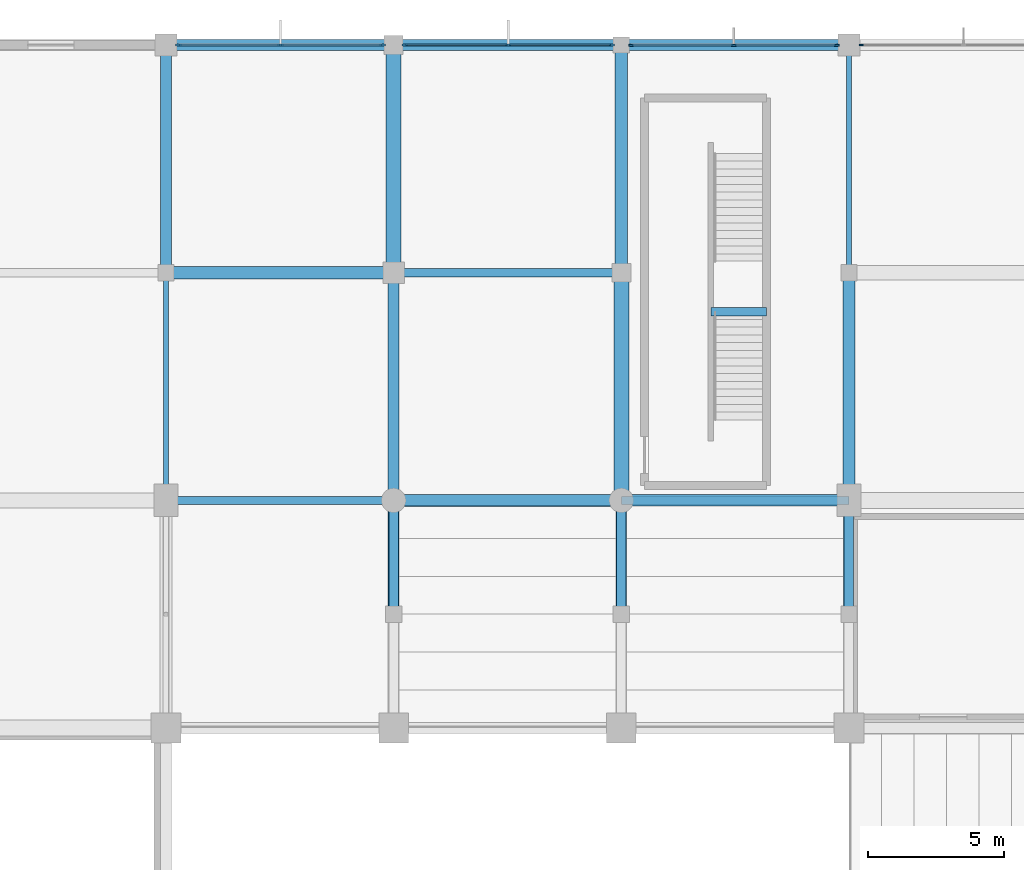
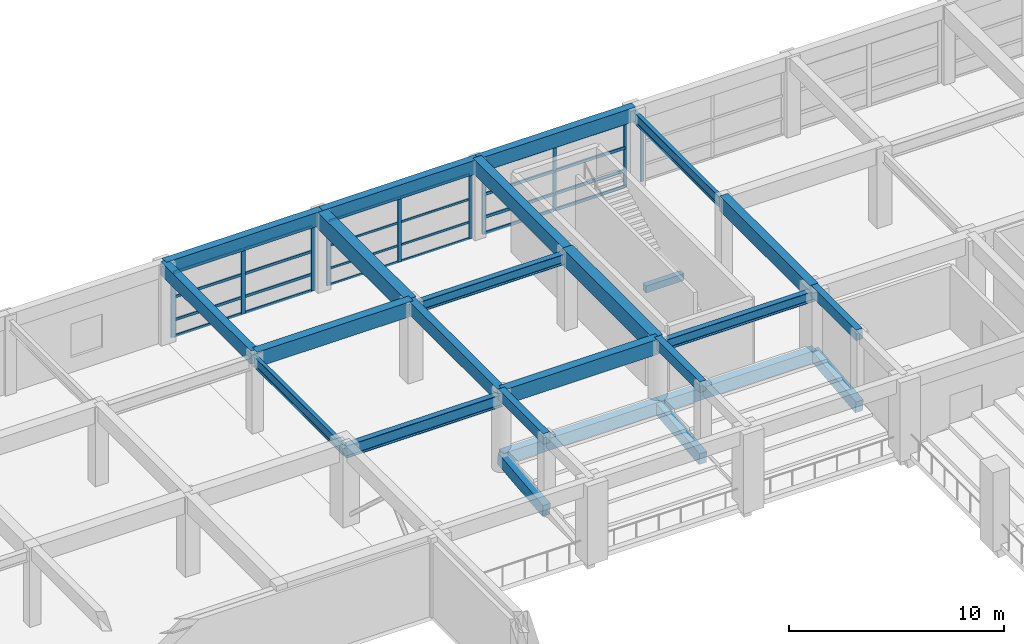
# One storey, part 30 of 62: 34 members, 25 beams, 4 elements without a shape of their own.
"""IFC4 building model written with IfcOpenShell, lengths in metres."""

from ifc_helpers import new_model, si_unit, direction, frame, origin, origin_2d, place, context, subcontext, project, spatial, rectangle, i_section, extrude, material, material_profile, profile_set, type_object, element, aggregate, save


model = new_model("IFC4")

# Units and contexts
model_context = context("Model", 3, precision=1e-05, world=origin(), true_north=direction((0.0, 1.0)))
body_context = subcontext(model_context, "Body", "Model", "MODEL_VIEW")
ifc_project = project(units=[si_unit("LENGTHUNIT", "METRE"), si_unit("AREAUNIT", "SQUARE_METRE"), si_unit("VOLUMEUNIT", "CUBIC_METRE"), si_unit("PLANEANGLEUNIT", "RADIAN"), si_unit("MASSUNIT", "GRAM", prefix="KILO")], contexts=[model_context])

# Site, building, storey
site_placement = place(None, origin())
site = spatial("IfcSite", under=ifc_project, at=site_placement, CompositionType="ELEMENT")
building_placement = place(site_placement, origin())
building = spatial("IfcBuilding", under=site, at=building_placement, Name="Xuanlan Plaza Opera House", CompositionType="ELEMENT")
storey_placement = place(building_placement, frame((0.0, 0.0, 14.39990234375)))
storey = spatial("IfcBuildingStorey", under=building, at=storey_placement, Name="L03", CompositionType="ELEMENT", Elevation=14.39990234375)

# Curtain wall, member
ifc_material_1 = material(Name="Anodised Aluminium 6063-T6 and Low-E Glass", Category="aluminium")
curtain_wall_type_1 = type_object("IfcCurtainWallType", Name="ENV-CW-CW-05", PredefinedType="USERDEFINED", material=ifc_material_1)
curtain_wall_1_placement = place(storey_placement, origin())
curtain_wall_1 = element("IfcCurtainWall", 1, at=curtain_wall_1_placement, inside=storey, type_object=curtain_wall_type_1, Name="Acoustic Glazed Wall L03-036", ObjectType="ACOUSTIC GLAZED WALL", PredefinedType="USERDEFINED")
ifc_material_2 = material(Name="Anodised Aluminium 6063-T6", Category="aluminium")
ifc_material_profile_1 = material_profile(ifc_material_2, rectangle(XDim=0.06494140625, YDim=0.159912109375, at=origin_2d()), Name="ALU-M 65x160")
ifc_profile_set_1 = profile_set([ifc_material_profile_1], Name="Anodised Aluminium 6063-T6")
member_type_1 = type_object("IfcMemberType", Name="ENV-CWM-01", PredefinedType="MULLION", material=ifc_profile_set_1)
member_1_placement = place(storey_placement, frame((92.8525390625, 100.800048828125, 0.0), z_axis=(0.0, 0.0, 1.0), x_axis=(0.0, -1.0, 0.0)))
member_1 = element("IfcMember", 2, at=member_1_placement, type_object=member_type_1, Name="CW-05 mullion 3", PredefinedType="MULLION", context=body_context, shape_type="SweptSolid", body=[
    extrude(rectangle(XDim=0.06494140625, YDim=0.159912109375, at=origin_2d()), origin(), (0.0, 0.0, 1.0), 3.68017578125),
])
aggregate(curtain_wall_1, [member_1])

# Curtain wall, members
curtain_wall_type_2 = type_object("IfcCurtainWallType", Name="ENV-CW-CW-06", PredefinedType="USERDEFINED", material=ifc_material_1)
curtain_wall_2_placement = place(storey_placement, origin())
curtain_wall_2 = element("IfcCurtainWall", 3, at=curtain_wall_2_placement, inside=storey, type_object=curtain_wall_type_2, Name="Acoustic Glazed Wall L03-037", ObjectType="ACOUSTIC GLAZED WALL", PredefinedType="USERDEFINED")
ifc_material_profile_2 = material_profile(ifc_material_2, rectangle(XDim=0.070068359375, YDim=0.179931640625, at=origin_2d()), Name="ALU-M 70x180")
ifc_profile_set_2 = profile_set([ifc_material_profile_2], Name="Anodised Aluminium 6063-T6")
member_type_2 = type_object("IfcMemberType", Name="ENV-CWM-02", PredefinedType="MULLION", material=ifc_profile_set_2)
member_2_placement = place(storey_placement, frame((91.945068359375, 100.800048828125, 0.0), z_axis=(0.0, 0.0, 1.0), x_axis=(0.0, -1.0, 0.0)))
member_2 = element("IfcMember", 4, at=member_2_placement, type_object=member_type_2, Name="CW-06 mullion 1", PredefinedType="MULLION", context=body_context, shape_type="SweptSolid", body=[
    extrude(rectangle(XDim=0.070068359375, YDim=0.179931640625, at=origin_2d()), origin(), (0.0, 0.0, 1.0), 3.68017578125),
])
member_3_placement = place(storey_placement, frame((88.14990234375, 100.800048828125, 0.0), z_axis=(0.0, 0.0, 1.0), x_axis=(0.0, -1.0, 0.0)))
member_3 = element("IfcMember", 5, at=member_3_placement, type_object=member_type_2, Name="CW-06 mullion 2", PredefinedType="MULLION", context=body_context, shape_type="SweptSolid", body=[
    extrude(rectangle(XDim=0.070068359375, YDim=0.179931640625, at=origin_2d()), origin(), (0.0, 0.0, 1.0), 3.68017578125),
])
member_4_placement = place(storey_placement, frame((84.35498046875, 100.800048828125, 0.0), z_axis=(0.0, 0.0, 1.0), x_axis=(0.0, -1.0, 0.0)))
member_4 = element("IfcMember", 6, at=member_4_placement, type_object=member_type_2, Name="CW-06 mullion 3", PredefinedType="MULLION", context=body_context, shape_type="SweptSolid", body=[
    extrude(rectangle(XDim=0.070068359375, YDim=0.179931640625, at=origin_2d()), origin(), (0.0, 0.0, 1.0), 3.68017578125),
])

curtain_wall_3_placement = place(storey_placement, origin())
curtain_wall_3 = element("IfcCurtainWall", 7, at=curtain_wall_3_placement, inside=storey, type_object=curtain_wall_type_1, Name="Acoustic Glazed Wall L03-038", ObjectType="ACOUSTIC GLAZED WALL", PredefinedType="USERDEFINED")
ifc_material_profile_3 = material_profile(ifc_material_2, rectangle(XDim=0.074951171875, YDim=0.199951171875, at=origin_2d()), Name="ALU-M 75x200")
ifc_profile_set_3 = profile_set([ifc_material_profile_3], Name="Anodised Aluminium 6063-T6")
member_type_3 = type_object("IfcMemberType", Name="ENV-CWM-03", PredefinedType="MULLION", material=ifc_profile_set_3)
member_5_placement = place(storey_placement, frame((83.642578125, 100.800048828125, 0.0), z_axis=(0.0, 0.0, 1.0), x_axis=(0.0, -1.0, 0.0)))
member_5 = element("IfcMember", 8, at=member_5_placement, type_object=member_type_3, Name="CW-05 mullion 1", PredefinedType="MULLION", context=body_context, shape_type="SweptSolid", body=[
    extrude(rectangle(XDim=0.074951171875, YDim=0.199951171875, at=origin_2d()), origin(), (0.0, 0.0, 1.0), 3.68017578125),
])
member_6_placement = place(storey_placement, frame((79.824951171875, 100.800048828125, 0.0), z_axis=(0.0, 0.0, 1.0), x_axis=(0.0, -1.0, 0.0)))
member_6 = element("IfcMember", 9, at=member_6_placement, type_object=member_type_3, Name="CW-05 mullion 2", PredefinedType="MULLION", context=body_context, shape_type="SweptSolid", body=[
    extrude(rectangle(XDim=0.074951171875, YDim=0.199951171875, at=origin_2d()), origin(), (0.0, 0.0, 1.0), 3.68017578125),
])
member_7_placement = place(storey_placement, frame((76.007568359375, 100.800048828125, 0.0), z_axis=(0.0, 0.0, 1.0), x_axis=(0.0, -1.0, 0.0)))
member_7 = element("IfcMember", 10, at=member_7_placement, type_object=member_type_3, Name="CW-05 mullion 3", PredefinedType="MULLION", context=body_context, shape_type="SweptSolid", body=[
    extrude(rectangle(XDim=0.074951171875, YDim=0.199951171875, at=origin_2d()), origin(), (0.0, 0.0, 1.0), 3.68017578125),
])

curtain_wall_4_placement = place(storey_placement, origin())
curtain_wall_4 = element("IfcCurtainWall", 11, at=curtain_wall_4_placement, inside=storey, type_object=curtain_wall_type_2, Name="Acoustic Glazed Wall L03-039", ObjectType="ACOUSTIC GLAZED WALL", PredefinedType="USERDEFINED")
ifc_material_profile_4 = material_profile(ifc_material_2, rectangle(XDim=0.080078125, YDim=0.219970703125, at=origin_2d()), Name="ALU-M 80x220")
ifc_profile_set_4 = profile_set([ifc_material_profile_4], Name="Anodised Aluminium 6063-T6")
member_type_4 = type_object("IfcMemberType", Name="ENV-CWM-04", PredefinedType="MULLION", material=ifc_profile_set_4)
member_8_placement = place(storey_placement, frame((75.18994140625, 100.800048828125, 0.0), z_axis=(0.0, 0.0, 1.0), x_axis=(0.0, -1.0, 0.0)))
member_8 = element("IfcMember", 12, at=member_8_placement, type_object=member_type_4, Name="CW-06 mullion 1", PredefinedType="MULLION", context=body_context, shape_type="SweptSolid", body=[
    extrude(rectangle(XDim=0.080078125, YDim=0.219970703125, at=origin_2d()), origin(), (0.0, 0.0, 1.0), 3.68017578125),
])
member_9_placement = place(storey_placement, frame((71.425048828125, 100.800048828125, 0.0), z_axis=(0.0, 0.0, 1.0), x_axis=(0.0, -1.0, 0.0)))
member_9 = element("IfcMember", 13, at=member_9_placement, type_object=member_type_4, Name="CW-06 mullion 2", PredefinedType="MULLION", context=body_context, shape_type="SweptSolid", body=[
    extrude(rectangle(XDim=0.080078125, YDim=0.219970703125, at=origin_2d()), origin(), (0.0, 0.0, 1.0), 3.68017578125),
])
member_10_placement = place(storey_placement, frame((67.659912109375, 100.800048828125, 0.0), z_axis=(0.0, 0.0, 1.0), x_axis=(0.0, -1.0, 0.0)))
member_10 = element("IfcMember", 14, at=member_10_placement, type_object=member_type_4, Name="CW-06 mullion 3", PredefinedType="MULLION", context=body_context, shape_type="SweptSolid", body=[
    extrude(rectangle(XDim=0.080078125, YDim=0.219970703125, at=origin_2d()), origin(), (0.0, 0.0, 1.0), 3.68017578125),
])

# Member
ifc_material_profile_5 = material_profile(ifc_material_2, rectangle(XDim=0.06494140625, YDim=0.1201171875, at=origin_2d()), Name="ALU-T 65x120")
ifc_profile_set_5 = profile_set([ifc_material_profile_5], Name="Anodised Aluminium 6063-T6")
member_type_5 = type_object("IfcMemberType", Name="ENV-CWT-01", PredefinedType="USERDEFINED", material=ifc_profile_set_5)
member_11_placement = place(storey_placement, frame((83.60498046875, 100.800048828125, 0.03271484375), z_axis=(-1.0, 0.0, 0.0), x_axis=(0.0, -1.0, 0.0)))
member_11 = element("IfcMember", 15, at=member_11_placement, type_object=member_type_5, Name="CW-05 transom 1.1", ObjectType="TRANSOM", PredefinedType="USERDEFINED", context=body_context, shape_type="SweptSolid", body=[
    extrude(rectangle(XDim=0.06494140625, YDim=0.1201171875, at=origin_2d()), origin(), (0.0, 0.0, 1.0), 3.742431640625),
])

member_12_placement = place(storey_placement, frame((83.60498046875, 100.800048828125, 0.9501953125), z_axis=(-1.0, 0.0, 0.0), x_axis=(0.0, -1.0, 0.0)))
member_12 = element("IfcMember", 16, at=member_12_placement, type_object=member_type_5, Name="CW-05 transom 1.2", ObjectType="TRANSOM", PredefinedType="USERDEFINED", context=body_context, shape_type="SweptSolid", body=[
    extrude(rectangle(XDim=0.06494140625, YDim=0.1201171875, at=origin_2d()), origin(), (0.0, 0.0, 1.0), 3.742431640625),
])

member_13_placement = place(storey_placement, frame((83.60498046875, 100.800048828125, 2.25), z_axis=(-1.0, 0.0, 0.0), x_axis=(0.0, -1.0, 0.0)))
member_13 = element("IfcMember", 17, at=member_13_placement, type_object=member_type_5, Name="CW-05 transom 1.3", ObjectType="TRANSOM", PredefinedType="USERDEFINED", context=body_context, shape_type="SweptSolid", body=[
    extrude(rectangle(XDim=0.06494140625, YDim=0.1201171875, at=origin_2d()), origin(), (0.0, 0.0, 1.0), 3.742431640625),
])

member_14_placement = place(storey_placement, frame((83.60498046875, 100.800048828125, 3.647705078125), z_axis=(-1.0, 0.0, 0.0), x_axis=(0.0, -1.0, 0.0)))
member_14 = element("IfcMember", 18, at=member_14_placement, type_object=member_type_5, Name="CW-05 transom 1.4", ObjectType="TRANSOM", PredefinedType="USERDEFINED", context=body_context, shape_type="SweptSolid", body=[
    extrude(rectangle(XDim=0.06494140625, YDim=0.1201171875, at=origin_2d()), origin(), (0.0, 0.0, 1.0), 3.742431640625),
])

member_15_placement = place(storey_placement, frame((79.78759765625, 100.800048828125, 0.03271484375), z_axis=(-1.0, 0.0, 0.0), x_axis=(0.0, -1.0, 0.0)))
member_15 = element("IfcMember", 19, at=member_15_placement, type_object=member_type_5, Name="CW-05 transom 2.1", ObjectType="TRANSOM", PredefinedType="USERDEFINED", context=body_context, shape_type="SweptSolid", body=[
    extrude(rectangle(XDim=0.06494140625, YDim=0.1201171875, at=origin_2d()), origin(), (0.0, 0.0, 1.0), 3.74267578125),
])

member_16_placement = place(storey_placement, frame((79.78759765625, 100.800048828125, 0.9501953125), z_axis=(-1.0, 0.0, 0.0), x_axis=(0.0, -1.0, 0.0)))
member_16 = element("IfcMember", 20, at=member_16_placement, type_object=member_type_5, Name="CW-05 transom 2.2", ObjectType="TRANSOM", PredefinedType="USERDEFINED", context=body_context, shape_type="SweptSolid", body=[
    extrude(rectangle(XDim=0.06494140625, YDim=0.1201171875, at=origin_2d()), origin(), (0.0, 0.0, 1.0), 3.74267578125),
])

member_17_placement = place(storey_placement, frame((79.78759765625, 100.800048828125, 2.25), z_axis=(-1.0, 0.0, 0.0), x_axis=(0.0, -1.0, 0.0)))
member_17 = element("IfcMember", 21, at=member_17_placement, type_object=member_type_5, Name="CW-05 transom 2.3", ObjectType="TRANSOM", PredefinedType="USERDEFINED", context=body_context, shape_type="SweptSolid", body=[
    extrude(rectangle(XDim=0.06494140625, YDim=0.1201171875, at=origin_2d()), origin(), (0.0, 0.0, 1.0), 3.74267578125),
])

member_18_placement = place(storey_placement, frame((79.78759765625, 100.800048828125, 3.647705078125), z_axis=(-1.0, 0.0, 0.0), x_axis=(0.0, -1.0, 0.0)))
member_18 = element("IfcMember", 22, at=member_18_placement, type_object=member_type_5, Name="CW-05 transom 2.4", ObjectType="TRANSOM", PredefinedType="USERDEFINED", context=body_context, shape_type="SweptSolid", body=[
    extrude(rectangle(XDim=0.06494140625, YDim=0.1201171875, at=origin_2d()), origin(), (0.0, 0.0, 1.0), 3.74267578125),
])

aggregate(curtain_wall_3, [member_5, member_6, member_7, member_11, member_12, member_13, member_14, member_15, member_16, member_17, member_18])

ifc_material_profile_6 = material_profile(ifc_material_2, rectangle(XDim=0.074951171875, YDim=0.14990234375, at=origin_2d()), Name="ALU-T 75x150")
ifc_profile_set_6 = profile_set([ifc_material_profile_6], Name="Anodised Aluminium 6063-T6")
member_type_6 = type_object("IfcMemberType", Name="ENV-CWT-03", PredefinedType="USERDEFINED", material=ifc_profile_set_6)
member_19_placement = place(storey_placement, frame((75.14990234375, 100.800048828125, 0.03759765625), z_axis=(-1.0, 0.0, 0.0), x_axis=(0.0, -1.0, 0.0)))
member_19 = element("IfcMember", 23, at=member_19_placement, type_object=member_type_6, Name="CW-06 transom 1.1", ObjectType="TRANSOM", PredefinedType="USERDEFINED", context=body_context, shape_type="SweptSolid", body=[
    extrude(rectangle(XDim=0.074951171875, YDim=0.14990234375, at=origin_2d()), origin(), (0.0, 0.0, 1.0), 3.684814453125),
])

member_20_placement = place(storey_placement, frame((75.14990234375, 100.800048828125, 0.9501953125), z_axis=(-1.0, 0.0, 0.0), x_axis=(0.0, -1.0, 0.0)))
member_20 = element("IfcMember", 24, at=member_20_placement, type_object=member_type_6, Name="CW-06 transom 1.2", ObjectType="TRANSOM", PredefinedType="USERDEFINED", context=body_context, shape_type="SweptSolid", body=[
    extrude(rectangle(XDim=0.074951171875, YDim=0.14990234375, at=origin_2d()), origin(), (0.0, 0.0, 1.0), 3.684814453125),
])

member_21_placement = place(storey_placement, frame((75.14990234375, 100.800048828125, 2.25), z_axis=(-1.0, 0.0, 0.0), x_axis=(0.0, -1.0, 0.0)))
member_21 = element("IfcMember", 25, at=member_21_placement, type_object=member_type_6, Name="CW-06 transom 1.3", ObjectType="TRANSOM", PredefinedType="USERDEFINED", context=body_context, shape_type="SweptSolid", body=[
    extrude(rectangle(XDim=0.074951171875, YDim=0.14990234375, at=origin_2d()), origin(), (0.0, 0.0, 1.0), 3.684814453125),
])

member_22_placement = place(storey_placement, frame((75.14990234375, 100.800048828125, 3.642578125), z_axis=(-1.0, 0.0, 0.0), x_axis=(0.0, -1.0, 0.0)))
member_22 = element("IfcMember", 26, at=member_22_placement, type_object=member_type_6, Name="CW-06 transom 1.4", ObjectType="TRANSOM", PredefinedType="USERDEFINED", context=body_context, shape_type="SweptSolid", body=[
    extrude(rectangle(XDim=0.074951171875, YDim=0.14990234375, at=origin_2d()), origin(), (0.0, 0.0, 1.0), 3.684814453125),
])

member_23_placement = place(storey_placement, frame((71.385009765625, 100.800048828125, 0.03759765625), z_axis=(-1.0, 0.0, 0.0), x_axis=(0.0, -1.0, 0.0)))
member_23 = element("IfcMember", 27, at=member_23_placement, type_object=member_type_6, Name="CW-06 transom 2.1", ObjectType="TRANSOM", PredefinedType="USERDEFINED", context=body_context, shape_type="SweptSolid", body=[
    extrude(rectangle(XDim=0.074951171875, YDim=0.14990234375, at=origin_2d()), origin(), (0.0, 0.0, 1.0), 3.68505859375),
])

member_24_placement = place(storey_placement, frame((71.385009765625, 100.800048828125, 0.9501953125), z_axis=(-1.0, 0.0, 0.0), x_axis=(0.0, -1.0, 0.0)))
member_24 = element("IfcMember", 28, at=member_24_placement, type_object=member_type_6, Name="CW-06 transom 2.2", ObjectType="TRANSOM", PredefinedType="USERDEFINED", context=body_context, shape_type="SweptSolid", body=[
    extrude(rectangle(XDim=0.074951171875, YDim=0.14990234375, at=origin_2d()), origin(), (0.0, 0.0, 1.0), 3.68505859375),
])

member_25_placement = place(storey_placement, frame((71.385009765625, 100.800048828125, 2.25), z_axis=(-1.0, 0.0, 0.0), x_axis=(0.0, -1.0, 0.0)))
member_25 = element("IfcMember", 29, at=member_25_placement, type_object=member_type_6, Name="CW-06 transom 2.3", ObjectType="TRANSOM", PredefinedType="USERDEFINED", context=body_context, shape_type="SweptSolid", body=[
    extrude(rectangle(XDim=0.074951171875, YDim=0.14990234375, at=origin_2d()), origin(), (0.0, 0.0, 1.0), 3.68505859375),
])

member_26_placement = place(storey_placement, frame((71.385009765625, 100.800048828125, 3.642578125), z_axis=(-1.0, 0.0, 0.0), x_axis=(0.0, -1.0, 0.0)))
member_26 = element("IfcMember", 30, at=member_26_placement, type_object=member_type_6, Name="CW-06 transom 2.4", ObjectType="TRANSOM", PredefinedType="USERDEFINED", context=body_context, shape_type="SweptSolid", body=[
    extrude(rectangle(XDim=0.074951171875, YDim=0.14990234375, at=origin_2d()), origin(), (0.0, 0.0, 1.0), 3.68505859375),
])

aggregate(curtain_wall_4, [member_8, member_9, member_10, member_19, member_20, member_21, member_22, member_23, member_24, member_25, member_26])

ifc_material_profile_7 = material_profile(ifc_material_2, rectangle(XDim=0.080078125, YDim=0.1650390625, at=origin_2d()), Name="ALU-T 80x165")
ifc_profile_set_7 = profile_set([ifc_material_profile_7], Name="Anodised Aluminium 6063-T6")
member_type_7 = type_object("IfcMemberType", Name="ENV-CWT-04", PredefinedType="USERDEFINED", material=ifc_profile_set_7)
member_27_placement = place(storey_placement, frame((91.909912109375, 100.800048828125, 0.0400390625), z_axis=(-1.0, 0.0, 0.0), x_axis=(0.0, -1.0, 0.0)))
member_27 = element("IfcMember", 31, at=member_27_placement, type_object=member_type_7, Name="CW-06 transom 1.1", ObjectType="TRANSOM", PredefinedType="USERDEFINED", context=body_context, shape_type="SweptSolid", body=[
    extrude(rectangle(XDim=0.080078125, YDim=0.1650390625, at=origin_2d()), origin(), (0.0, 0.0, 1.0), 3.724853515625),
])

member_28_placement = place(storey_placement, frame((91.909912109375, 100.800048828125, 0.9501953125), z_axis=(-1.0, 0.0, 0.0), x_axis=(0.0, -1.0, 0.0)))
member_28 = element("IfcMember", 32, at=member_28_placement, type_object=member_type_7, Name="CW-06 transom 1.2", ObjectType="TRANSOM", PredefinedType="USERDEFINED", context=body_context, shape_type="SweptSolid", body=[
    extrude(rectangle(XDim=0.080078125, YDim=0.1650390625, at=origin_2d()), origin(), (0.0, 0.0, 1.0), 3.724853515625),
])

member_29_placement = place(storey_placement, frame((91.909912109375, 100.800048828125, 2.25), z_axis=(-1.0, 0.0, 0.0), x_axis=(0.0, -1.0, 0.0)))
member_29 = element("IfcMember", 33, at=member_29_placement, type_object=member_type_7, Name="CW-06 transom 1.3", ObjectType="TRANSOM", PredefinedType="USERDEFINED", context=body_context, shape_type="SweptSolid", body=[
    extrude(rectangle(XDim=0.080078125, YDim=0.1650390625, at=origin_2d()), origin(), (0.0, 0.0, 1.0), 3.724853515625),
])

member_30_placement = place(storey_placement, frame((91.909912109375, 100.800048828125, 3.64013671875), z_axis=(-1.0, 0.0, 0.0), x_axis=(0.0, -1.0, 0.0)))
member_30 = element("IfcMember", 34, at=member_30_placement, type_object=member_type_7, Name="CW-06 transom 1.4", ObjectType="TRANSOM", PredefinedType="USERDEFINED", context=body_context, shape_type="SweptSolid", body=[
    extrude(rectangle(XDim=0.080078125, YDim=0.1650390625, at=origin_2d()), origin(), (0.0, 0.0, 1.0), 3.724853515625),
])

member_31_placement = place(storey_placement, frame((88.114990234375, 100.800048828125, 0.0400390625), z_axis=(-1.0, 0.0, 0.0), x_axis=(0.0, -1.0, 0.0)))
member_31 = element("IfcMember", 35, at=member_31_placement, type_object=member_type_7, Name="CW-06 transom 2.1", ObjectType="TRANSOM", PredefinedType="USERDEFINED", context=body_context, shape_type="SweptSolid", body=[
    extrude(rectangle(XDim=0.080078125, YDim=0.1650390625, at=origin_2d()), origin(), (0.0, 0.0, 1.0), 3.72509765625),
])

member_32_placement = place(storey_placement, frame((88.114990234375, 100.800048828125, 0.9501953125), z_axis=(-1.0, 0.0, 0.0), x_axis=(0.0, -1.0, 0.0)))
member_32 = element("IfcMember", 36, at=member_32_placement, type_object=member_type_7, Name="CW-06 transom 2.2", ObjectType="TRANSOM", PredefinedType="USERDEFINED", context=body_context, shape_type="SweptSolid", body=[
    extrude(rectangle(XDim=0.080078125, YDim=0.1650390625, at=origin_2d()), origin(), (0.0, 0.0, 1.0), 3.72509765625),
])

member_33_placement = place(storey_placement, frame((88.114990234375, 100.800048828125, 2.25), z_axis=(-1.0, 0.0, 0.0), x_axis=(0.0, -1.0, 0.0)))
member_33 = element("IfcMember", 37, at=member_33_placement, type_object=member_type_7, Name="CW-06 transom 2.3", ObjectType="TRANSOM", PredefinedType="USERDEFINED", context=body_context, shape_type="SweptSolid", body=[
    extrude(rectangle(XDim=0.080078125, YDim=0.1650390625, at=origin_2d()), origin(), (0.0, 0.0, 1.0), 3.72509765625),
])

member_34_placement = place(storey_placement, frame((88.114990234375, 100.800048828125, 3.64013671875), z_axis=(-1.0, 0.0, 0.0), x_axis=(0.0, -1.0, 0.0)))
member_34 = element("IfcMember", 38, at=member_34_placement, type_object=member_type_7, Name="CW-06 transom 2.4", ObjectType="TRANSOM", PredefinedType="USERDEFINED", context=body_context, shape_type="SweptSolid", body=[
    extrude(rectangle(XDim=0.080078125, YDim=0.1650390625, at=origin_2d()), origin(), (0.0, 0.0, 1.0), 3.72509765625),
])

aggregate(curtain_wall_2, [member_2, member_3, member_4, member_27, member_28, member_29, member_30, member_31, member_32, member_33, member_34])

# Beams
ifc_material_3 = material(Name="Concrete C50", Category="concrete")
ifc_material_profile_8 = material_profile(ifc_material_3, rectangle(XDim=0.550048828125, YDim=0.949951171875, at=origin_2d()), Name="RC-BM 550x950")
ifc_profile_set_8 = profile_set([ifc_material_profile_8], Name="Concrete C50")
beam_type_1 = type_object("IfcBeamType", Name="STR-BM-B-02", PredefinedType="BEAM", material=ifc_profile_set_8)
beam_1_placement = place(storey_placement, frame((75.60009765625, 92.39990234375, 4.025146484375), z_axis=(0.0, 1.0, 0.0), x_axis=(-1.0, 0.0, 0.0)))
element("IfcBeam", 39, at=beam_1_placement, inside=storey, type_object=beam_type_1, Name="Grid Beam Y L03 10/L-M", PredefinedType="BEAM", context=body_context, shape_type="SweptSolid", body=[
    extrude(rectangle(XDim=0.550048828125, YDim=0.949951171875, at=origin_2d()), origin(), (0.0, 0.0, 1.0), 8.400146484375),
])
beam_2_placement = place(storey_placement, frame((84.0, 84.0, 4.025146484375), z_axis=(0.0, 1.0, 0.0), x_axis=(-1.0, 0.0, 0.0)))
element("IfcBeam", 40, at=beam_2_placement, inside=storey, type_object=beam_type_1, Name="Grid Beam Y L03 11/K-L", PredefinedType="BEAM", context=body_context, shape_type="SweptSolid", body=[
    extrude(rectangle(XDim=0.550048828125, YDim=0.949951171875, at=origin_2d()), origin(), (0.0, 0.0, 1.0), 8.39990234375),
])
ifc_material_4 = material(Name="Concrete C40", Category="concrete")
ifc_material_profile_9 = material_profile(ifc_material_4, rectangle(XDim=0.449951171875, YDim=0.85009765625, at=origin_2d()), Name="RC-BM 450x850")
ifc_profile_set_9 = profile_set([ifc_material_profile_9], Name="Concrete C40")
beam_type_2 = type_object("IfcBeamType", Name="STR-BM-B-04", PredefinedType="BEAM", material=ifc_profile_set_9)
beam_3_placement = place(storey_placement, frame((75.60009765625, 84.0, 4.0751953125), z_axis=(1.0, 0.0, 0.0), x_axis=(0.0, 1.0, 0.0)))
element("IfcBeam", 41, at=beam_3_placement, inside=storey, type_object=beam_type_2, Name="Grid Beam X L03 10-11/K", PredefinedType="BEAM", context=body_context, shape_type="SweptSolid", body=[
    extrude(rectangle(XDim=0.449951171875, YDim=0.85009765625, at=origin_2d()), origin(), (0.0, 0.0, 1.0), 8.39990234375),
])
for number, where, z_axis, x_axis, name in (
    (42, (67.199951171875, 92.39990234375, 4.0751953125), (1.0, 0.0, 0.0), (0.0, 1.0, 0.0), "Grid Beam X L03 9-10/L"),
    (43, (84.0, 92.39990234375, 4.0751953125), (0.0, 1.0, 0.0), (-1.0, 0.0, 0.0), "Grid Beam Y L03 11/L-M"),
):
    element("IfcBeam", number, at=place(storey_placement, frame(where, z_axis=z_axis, x_axis=x_axis)), inside=storey, type_object=beam_type_2, Name=name, PredefinedType="BEAM", context=body_context, shape_type="SweptSolid", body=[
        extrude(rectangle(XDim=0.449951171875, YDim=0.85009765625, at=origin_2d()), origin(), (0.0, 0.0, 1.0), 8.400146484375),
    ])
beam_4_placement = place(storey_placement, frame((92.39990234375, 84.0, 4.0751953125), z_axis=(0.0, 1.0, 0.0), x_axis=(-1.0, 0.0, 0.0)))
element("IfcBeam", 44, at=beam_4_placement, inside=storey, type_object=beam_type_2, Name="Grid Beam Y L03 12/K-L", PredefinedType="BEAM", context=body_context, shape_type="SweptSolid", body=[
    extrude(rectangle(XDim=0.449951171875, YDim=0.85009765625, at=origin_2d()), origin(), (0.0, 0.0, 1.0), 8.39990234375),
])
ifc_material_profile_10 = material_profile(ifc_material_4, rectangle(XDim=0.39990234375, YDim=0.75, at=origin_2d()), Name="RC-BM 400x750")
ifc_profile_set_10 = profile_set([ifc_material_profile_10], Name="Concrete C40")
beam_type_3 = type_object("IfcBeamType", Name="STR-BM-B-06", PredefinedType="BEAM", material=ifc_profile_set_10)
beam_5_placement = place(storey_placement, frame((67.199951171875, 92.39990234375, 4.125), z_axis=(0.0, 1.0, 0.0), x_axis=(-1.0, 0.0, 0.0)))
element("IfcBeam", 45, at=beam_5_placement, inside=storey, type_object=beam_type_3, Name="Grid Beam Y L03 9/L-M", PredefinedType="BEAM", context=body_context, shape_type="SweptSolid", body=[
    extrude(rectangle(XDim=0.39990234375, YDim=0.75, at=origin_2d()), origin(), (0.0, 0.0, 1.0), 8.400146484375),
])
beam_6_placement = place(storey_placement, frame((75.60009765625, 84.0, 4.125), z_axis=(0.0, 1.0, 0.0), x_axis=(-1.0, 0.0, 0.0)))
element("IfcBeam", 46, at=beam_6_placement, inside=storey, type_object=beam_type_3, Name="Grid Beam Y L03 10/K-L", PredefinedType="BEAM", context=body_context, shape_type="SweptSolid", body=[
    extrude(rectangle(XDim=0.39990234375, YDim=0.75, at=origin_2d()), origin(), (0.0, 0.0, 1.0), 8.39990234375),
])
ifc_material_profile_11 = material_profile(ifc_material_4, rectangle(XDim=0.35009765625, YDim=0.60009765625, at=origin_2d()), Name="RC-BM 350x600")
ifc_profile_set_11 = profile_set([ifc_material_profile_11], Name="Concrete C40")
beam_type_4 = type_object("IfcBeamType", Name="STR-BM-B-10", PredefinedType="BEAM", material=ifc_profile_set_11)
for number, where, z_axis, x_axis, name in (
    (47, (75.60009765625, 79.800048828125, 4.2001953125), (0.0, 1.0, 0.0), (-1.0, 0.0, 0.0), "Sub-Bay Beam Y L03 10/JB"),
    (48, (84.0, 79.800048828125, 4.2001953125), (0.0, 1.0, 0.0), (-1.0, 0.0, 0.0), "Sub-Bay Beam Y L03 11/JB"),
    (49, (92.39990234375, 79.800048828125, 4.2001953125), (0.0, 1.0, 0.0), (-1.0, 0.0, 0.0), "Sub-Bay Beam Y L03 12/JB"),
):
    element("IfcBeam", number, at=place(storey_placement, frame(where, z_axis=z_axis, x_axis=x_axis)), inside=storey, type_object=beam_type_4, Name=name, PredefinedType="BEAM", context=body_context, shape_type="SweptSolid", body=[
        extrude(rectangle(XDim=0.35009765625, YDim=0.60009765625, at=origin_2d()), origin(), (0.0, 0.0, 1.0), 4.199951171875),
    ])
ifc_material_profile_12 = material_profile(ifc_material_4, rectangle(XDim=0.300048828125, YDim=0.39990234375, at=origin_2d()), Name="RC-LNT 300x400")
ifc_profile_set_12 = profile_set([ifc_material_profile_12], Name="Concrete C40")
beam_type_5 = type_object("IfcBeamType", Name="STR-BM-LN-01", PredefinedType="LINTEL", material=ifc_profile_set_12)
beam_7_placement = place(storey_placement, frame((87.300048828125, 90.9599609375, 1.85009765625), z_axis=(1.0, 0.0, 0.0), x_axis=(0.0, 1.0, 0.0)))
element("IfcBeam", 50, at=beam_7_placement, inside=storey, type_object=beam_type_5, Name="Stair Mid-Landing Trimmer Beam ST-P4 L03", PredefinedType="LINTEL", context=body_context, shape_type="SweptSolid", body=[
    extrude(rectangle(XDim=0.300048828125, YDim=0.39990234375, at=origin_2d()), origin(), (0.0, 0.0, 1.0), 2.050048828125),
])
ifc_material_profile_13 = material_profile(ifc_material_4, rectangle(XDim=0.39990234375, YDim=0.659912109375, at=origin_2d()), Name="RC-RKR 400x660")
ifc_profile_set_13 = profile_set([ifc_material_profile_13], Name="Concrete C40")
beam_type_6 = type_object("IfcBeamType", Name="STR-BM-RK-04", PredefinedType="BEAM", material=ifc_profile_set_13)
for number, where, z_axis, x_axis, name in (
    (51, (75.60009765625, 79.800048828125, 0.1201171875), (0.0, 0.994310247159, 0.106522919579), (-1.0, 0.0, 0.0), "Side Vineyard Tier Raker L03 North X75B"),
    (52, (84.0, 79.800048828125, 0.1201171875), (0.0, 0.994310247159, 0.106522919579), (-1.0, 0.0, 0.0), "Side Vineyard Tier Raker L03 North X84B"),
    (53, (92.39990234375, 79.800048828125, 0.1201171875), (0.0, 0.994310247159, 0.106522919579), (-1.0, 0.0, 0.0), "Side Vineyard Tier Raker L03 North X92B"),
):
    element("IfcBeam", number, at=place(storey_placement, frame(where, z_axis=z_axis, x_axis=x_axis)), inside=storey, type_object=beam_type_6, Name=name, PredefinedType="BEAM", context=body_context, shape_type="SweptSolid", body=[
        extrude(rectangle(XDim=0.39990234375, YDim=0.659912109375, at=origin_2d()), origin(), (0.0, 0.0, 1.0), 4.223876953125),
    ])
ifc_material_profile_14 = material_profile(ifc_material_4, rectangle(XDim=0.419921875, YDim=0.679931640625, at=origin_2d()), Name="RC-RKR 420x680")
ifc_profile_set_14 = profile_set([ifc_material_profile_14], Name="Concrete C40")
beam_type_7 = type_object("IfcBeamType", Name="STR-BM-RKH-04", PredefinedType="BEAM", material=ifc_profile_set_14)
for number, where, z_axis, x_axis, name in (
    (54, (75.60009765625, 84.0, 0.56005859375), (1.0, 0.0, 0.0), (0.0, 1.0, 0.0), "Side Vineyard Tier Header Beam L03 North 1"),
    (55, (84.0, 84.0, 0.56005859375), (1.0, 0.0, 0.0), (0.0, 1.0, 0.0), "Side Vineyard Tier Header Beam L03 North 2"),
):
    element("IfcBeam", number, at=place(storey_placement, frame(where, z_axis=z_axis, x_axis=x_axis)), inside=storey, type_object=beam_type_7, Name=name, PredefinedType="BEAM", context=body_context, shape_type="SweptSolid", body=[
        extrude(rectangle(XDim=0.419921875, YDim=0.679931640625, at=origin_2d()), origin(), (0.0, 0.0, 1.0), 8.39990234375),
    ])
ifc_material_5 = material(Name="Steel Q355B", Category="steel")
ifc_material_profile_15 = material_profile(ifc_material_5, i_section(OverallWidth=0.300048828125, OverallDepth=0.699951171875, WebThickness=0.012939453125, FlangeThickness=0.02392578125, FilletRadius=0.02392578125, at=origin_2d()), Name="HN 700x300x13x24")
ifc_profile_set_15 = profile_set([ifc_material_profile_15], Name="Steel Q355B")
beam_type_8 = type_object("IfcBeamType", Name="STR-BM-SB-03", PredefinedType="BEAM", material=ifc_profile_set_15)
beam_8_placement = place(storey_placement, frame((67.199951171875, 84.0, 3.885009765625), z_axis=(1.0, 0.0, 0.0), x_axis=(0.0, 1.0, 0.0)))
element("IfcBeam", 56, at=beam_8_placement, inside=storey, type_object=beam_type_8, Name="Grid Beam X L03 9-10/K", PredefinedType="BEAM", context=body_context, shape_type="SweptSolid", body=[
    extrude(i_section(OverallWidth=0.300048828125, OverallDepth=0.699951171875, WebThickness=0.012939453125, FlangeThickness=0.02392578125, FilletRadius=0.02392578125, at=origin_2d()), origin(), (0.0, 0.0, 1.0), 8.400146484375),
])
ifc_material_profile_16 = material_profile(ifc_material_5, i_section(OverallWidth=0.199951171875, OverallDepth=0.60009765625, WebThickness=0.010986328125, FlangeThickness=0.01708984375, FilletRadius=0.02197265625, at=origin_2d()), Name="HN 600x200x11x17")
ifc_profile_set_16 = profile_set([ifc_material_profile_16], Name="Steel Q355B")
beam_type_9 = type_object("IfcBeamType", Name="STR-BM-SB-04", PredefinedType="BEAM", material=ifc_profile_set_16)
beam_9_placement = place(storey_placement, frame((67.199951171875, 84.0, 3.93505859375), z_axis=(0.0, 1.0, 0.0), x_axis=(-1.0, 0.0, 0.0)))
element("IfcBeam", 57, at=beam_9_placement, inside=storey, type_object=beam_type_9, Name="Grid Beam Y L03 9/K-L", PredefinedType="BEAM", context=body_context, shape_type="SweptSolid", body=[
    extrude(i_section(OverallWidth=0.199951171875, OverallDepth=0.60009765625, WebThickness=0.010986328125, FlangeThickness=0.01708984375, FilletRadius=0.02197265625, at=origin_2d()), origin(), (0.0, 0.0, 1.0), 8.39990234375),
])
beam_10_placement = place(storey_placement, frame((92.39990234375, 92.39990234375, 3.93505859375), z_axis=(0.0, 1.0, 0.0), x_axis=(-1.0, 0.0, 0.0)))
element("IfcBeam", 58, at=beam_10_placement, inside=storey, type_object=beam_type_9, Name="Grid Beam Y L03 12/L-M", PredefinedType="BEAM", context=body_context, shape_type="SweptSolid", body=[
    extrude(i_section(OverallWidth=0.199951171875, OverallDepth=0.60009765625, WebThickness=0.010986328125, FlangeThickness=0.01708984375, FilletRadius=0.02197265625, at=origin_2d()), origin(), (0.0, 0.0, 1.0), 8.400146484375),
])
ifc_material_profile_17 = material_profile(ifc_material_5, i_section(OverallWidth=0.300048828125, OverallDepth=0.587890625, WebThickness=0.011962890625, FlangeThickness=0.02001953125, FilletRadius=0.02392578125, at=origin_2d()), Name="HM 588x300x12x20")
ifc_profile_set_17 = profile_set([ifc_material_profile_17], Name="Steel Q355B")
beam_type_10 = type_object("IfcBeamType", Name="STR-BM-SB-06", PredefinedType="BEAM", material=ifc_profile_set_17)
for number, where, z_axis, x_axis, name in (
    (59, (84.0, 84.0, 3.941162109375), (1.0, 0.0, 0.0), (0.0, 1.0, 0.0), "Grid Beam X L03 11-12/K"),
    (60, (75.60009765625, 92.39990234375, 3.941162109375), (1.0, 0.0, 0.0), (0.0, 1.0, 0.0), "Grid Beam X L03 10-11/L"),
):
    element("IfcBeam", number, at=place(storey_placement, frame(where, z_axis=z_axis, x_axis=x_axis)), inside=storey, type_object=beam_type_10, Name=name, PredefinedType="BEAM", context=body_context, shape_type="SweptSolid", body=[
        extrude(i_section(OverallWidth=0.300048828125, OverallDepth=0.587890625, WebThickness=0.011962890625, FlangeThickness=0.02001953125, FilletRadius=0.02392578125, at=origin_2d()), origin(), (0.0, 0.0, 1.0), 8.39990234375),
    ])
ifc_material_profile_18 = material_profile(ifc_material_4, rectangle(XDim=0.39990234375, YDim=0.800048828125, at=origin_2d()), Name="RC-SPD 400x800")
ifc_profile_set_18 = profile_set([ifc_material_profile_18], Name="Concrete C40")
beam_type_11 = type_object("IfcBeamType", Name="STR-BM-SP-01", PredefinedType="SPANDREL", material=ifc_profile_set_18)
beam_11_placement = place(storey_placement, frame((67.199951171875, 100.800048828125, 4.10009765625), z_axis=(1.0, 0.0, 0.0), x_axis=(0.0, 1.0, 0.0)))
element("IfcBeam", 61, at=beam_11_placement, inside=storey, type_object=beam_type_11, Name="Grid Beam X L03 9-10/M", PredefinedType="SPANDREL", context=body_context, shape_type="SweptSolid", body=[
    extrude(rectangle(XDim=0.39990234375, YDim=0.800048828125, at=origin_2d()), origin(), (0.0, 0.0, 1.0), 8.400146484375),
])
for number, where, z_axis, x_axis, name in (
    (62, (75.60009765625, 100.800048828125, 4.10009765625), (1.0, 0.0, 0.0), (0.0, 1.0, 0.0), "Grid Beam X L03 10-11/M"),
    (63, (84.0, 100.800048828125, 4.10009765625), (1.0, 0.0, 0.0), (0.0, 1.0, 0.0), "Grid Beam X L03 11-12/M"),
):
    element("IfcBeam", number, at=place(storey_placement, frame(where, z_axis=z_axis, x_axis=x_axis)), inside=storey, type_object=beam_type_11, Name=name, PredefinedType="SPANDREL", context=body_context, shape_type="SweptSolid", body=[
        extrude(rectangle(XDim=0.39990234375, YDim=0.800048828125, at=origin_2d()), origin(), (0.0, 0.0, 1.0), 8.39990234375),
    ])

save(model, "model.ifc")
